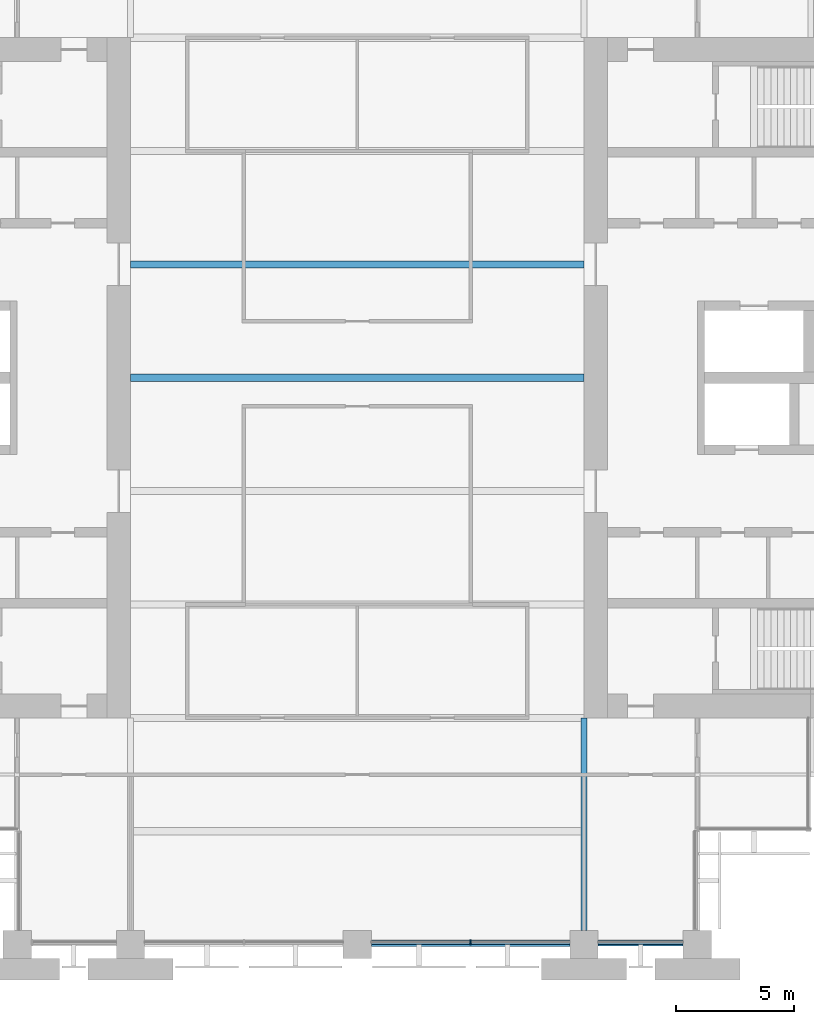
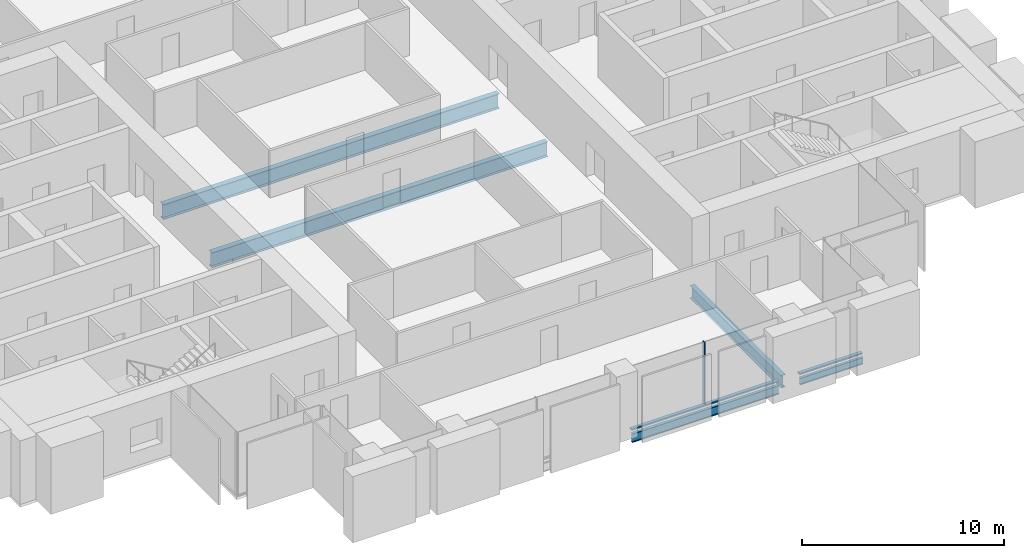
# One storey, part 3 of 14: 5 beams, 3 members, 1 element without a shape of its own.
"""IFC4 building model written with IfcOpenShell, lengths in metres."""

from ifc_helpers import new_model, si_unit, direction, frame, origin, origin_2d, place, context, subcontext, project, spatial, rectangle, i_section, extrude, material, material_profile, profile_set, type_object, element, aggregate, save


model = new_model("IFC4")

# Units and contexts
model_context = context("Model", 3, precision=1e-05, world=origin(), true_north=direction((0.0, 1.0)))
body_context = subcontext(model_context, "Body", "Model", "MODEL_VIEW")
ifc_project = project(units=[si_unit("LENGTHUNIT", "METRE"), si_unit("AREAUNIT", "SQUARE_METRE"), si_unit("VOLUMEUNIT", "CUBIC_METRE"), si_unit("PLANEANGLEUNIT", "RADIAN"), si_unit("MASSUNIT", "GRAM", prefix="KILO")], contexts=[model_context])

# Site, building, storey
site_placement = place(None, origin())
site = spatial("IfcSite", under=ifc_project, at=site_placement, CompositionType="ELEMENT")
building_placement = place(site_placement, origin())
building = spatial("IfcBuilding", under=site, at=building_placement, Name="Baori Bourse Tower", CompositionType="ELEMENT")
storey_placement = place(building_placement, frame((0.0, 0.0, 124.10009765625)))
storey = spatial("IfcBuildingStorey", under=building, at=storey_placement, Name="L26", CompositionType="ELEMENT", Elevation=124.10009765625)

# Curtain wall, members
ifc_material_1 = material(Name="Pale anodised aluminium", Category="aluminium")
curtain_wall_type = type_object("IfcCurtainWallType", Name="CW1 Curtain wall", PredefinedType="NOTDEFINED", material=ifc_material_1)
curtain_wall_placement = place(storey_placement, origin())
curtain_wall = element("IfcCurtainWall", 1, at=curtain_wall_placement, inside=storey, type_object=curtain_wall_type, Name="Curtain wall CW1 L26 11", PredefinedType="NOTDEFINED")
ifc_material_2 = material(Name="Pale anodised aluminium", Category="aluminium")
ifc_material_profile_1 = material_profile(ifc_material_2, rectangle(XDim=0.199951171875, YDim=0.06005859375, at=origin_2d()), Name="Mullion 60x200")
ifc_profile_set_1 = profile_set([ifc_material_profile_1], Name="Pale anodised aluminium")
member_type_1 = type_object("IfcMemberType", Name="CW1 Curtain wall mullion", PredefinedType="MULLION", material=ifc_profile_set_1)
member_1_placement = place(storey_placement, frame((33.60009765625, 0.10009765625, 0.079833984375), z_axis=(0.0, 0.0, 1.0), x_axis=(0.0, 1.0, 0.0)))
member_1 = element("IfcMember", 2, at=member_1_placement, type_object=member_type_1, Name="Curtain wall CW1 mullion", PredefinedType="MULLION", context=body_context, shape_type="SweptSolid", body=[
    extrude(rectangle(XDim=0.199951171875, YDim=0.06005859375, at=origin_2d()), origin(), (0.0, 0.0, 1.0), 3.760009765625),
])
ifc_material_3 = material(Name="Pale anodised aluminium", Category="aluminium")
ifc_material_profile_2 = material_profile(ifc_material_3, rectangle(XDim=0.199951171875, YDim=0.080078125, at=origin_2d()), Name="Transom 80x200")
ifc_profile_set_2 = profile_set([ifc_material_profile_2], Name="Pale anodised aluminium")
member_type_2 = type_object("IfcMemberType", Name="CW1 Curtain wall transom", PredefinedType="USERDEFINED", material=ifc_profile_set_2)
member_2_placement = place(storey_placement, frame((29.39990234375, 0.10009765625, 0.039794921875), z_axis=(1.0, 0.0, 0.0), x_axis=(0.0, 1.0, 0.0)))
member_2 = element("IfcMember", 3, at=member_2_placement, type_object=member_type_2, Name="Curtain wall CW1 sill rail", ObjectType="TRANSOM", PredefinedType="USERDEFINED", context=body_context, shape_type="SweptSolid", body=[
    extrude(rectangle(XDim=0.199951171875, YDim=0.080078125, at=origin_2d()), origin(), (0.0, 0.0, 1.0), 8.400146484375),
])
member_3_placement = place(storey_placement, frame((39.0, 0.10009765625, 0.039794921875), z_axis=(1.0, 0.0, 0.0), x_axis=(0.0, 1.0, 0.0)))
member_3 = element("IfcMember", 4, at=member_3_placement, type_object=member_type_2, Name="Curtain wall CW1 sill rail", ObjectType="TRANSOM", PredefinedType="USERDEFINED", context=body_context, shape_type="SweptSolid", body=[
    extrude(rectangle(XDim=0.199951171875, YDim=0.080078125, at=origin_2d()), origin(), (0.0, 0.0, 1.0), 3.60009765625),
])
aggregate(curtain_wall, [member_2, member_1, member_3])

# Beams
ifc_material_4 = material(Name="Steel A992 Gr 50", Category="steel")
ifc_material_profile_3 = material_profile(ifc_material_4, i_section(OverallWidth=0.140380859375, OverallDepth=0.40380859375, WebThickness=0.007080078125, FlangeThickness=0.01123046875, at=origin_2d()), Name="W16x31")
ifc_profile_set_3 = profile_set([ifc_material_profile_3], Name="Steel A992 Gr 50")
beam_type_1 = type_object("IfcBeamType", Name="Edge beam W16x31", PredefinedType="BEAM", material=ifc_profile_set_3)
beam_1_placement = place(storey_placement, frame((39.0, 0.0, -0.362060546875), z_axis=(1.0, 0.0, 0.0), x_axis=(0.0, 1.0, 0.0)))
element("IfcBeam", 5, at=beam_1_placement, inside=storey, type_object=beam_type_1, Name="Edge beam L26", PredefinedType="BEAM", context=body_context, shape_type="SweptSolid", body=[
    extrude(i_section(OverallWidth=0.140380859375, OverallDepth=0.40380859375, WebThickness=0.007080078125, FlangeThickness=0.01123046875, at=origin_2d()), origin(), (0.0, 0.0, 1.0), 3.60009765625),
])
ifc_material_5 = material(Name="Steel A992 Gr 50", Category="steel")
ifc_material_profile_4 = material_profile(ifc_material_5, i_section(OverallWidth=0.1650390625, OverallDepth=0.52587890625, WebThickness=0.0087890625, FlangeThickness=0.011474609375, at=origin_2d()), Name="W21x44")
ifc_profile_set_4 = profile_set([ifc_material_profile_4], Name="Steel A992 Gr 50")
beam_type_2 = type_object("IfcBeamType", Name="Edge beam W21x44", PredefinedType="BEAM", material=ifc_profile_set_4)
beam_2_placement = place(storey_placement, frame((29.39990234375, 0.0, -0.423095703125), z_axis=(1.0, 0.0, 0.0), x_axis=(0.0, 1.0, 0.0)))
element("IfcBeam", 6, at=beam_2_placement, inside=storey, type_object=beam_type_2, Name="Edge beam L26", PredefinedType="BEAM", context=body_context, shape_type="SweptSolid", body=[
    extrude(i_section(OverallWidth=0.1650390625, OverallDepth=0.52587890625, WebThickness=0.0087890625, FlangeThickness=0.011474609375, at=origin_2d()), origin(), (0.0, 0.0, 1.0), 8.400146484375),
])
ifc_material_6 = material(Name="Steel A992 Gr 50", Category="steel")
ifc_material_profile_5 = material_profile(ifc_material_6, i_section(OverallWidth=0.3046875, OverallDepth=0.904296875, WebThickness=0.01513671875, FlangeThickness=0.02001953125, at=origin_2d()), Name="W36x135")
ifc_profile_set_5 = profile_set([ifc_material_profile_5], Name="Steel A992 Gr 50")
beam_type_3 = type_object("IfcBeamType", Name="Floor beam W36x135", PredefinedType="BEAM", material=ifc_profile_set_5)
for number, where, z_axis, x_axis, name in (
    (7, (19.199951171875, 24.0, -0.6123046875), (1.0, 0.0, 0.0), (0.0, 1.0, 0.0), "Floor beam L26"),
    (8, (19.199951171875, 28.800048828125, -0.6123046875), (1.0, 0.0, 0.0), (0.0, 1.0, 0.0), "Floor beam L26"),
):
    element("IfcBeam", number, at=place(storey_placement, frame(where, z_axis=z_axis, x_axis=x_axis)), inside=storey, type_object=beam_type_3, Name=name, PredefinedType="BEAM", context=body_context, shape_type="SweptSolid", body=[
        extrude(i_section(OverallWidth=0.3046875, OverallDepth=0.904296875, WebThickness=0.01513671875, FlangeThickness=0.02001953125, at=origin_2d()), origin(), (0.0, 0.0, 1.0), 19.199951171875),
    ])
ifc_material_7 = material(Name="Steel A992 Gr 50", Category="steel")
ifc_material_profile_6 = material_profile(ifc_material_7, i_section(OverallWidth=0.26416015625, OverallDepth=0.749267578125, WebThickness=0.011962890625, FlangeThickness=0.015380859375, at=origin_2d()), Name="W30x90")
ifc_profile_set_6 = profile_set([ifc_material_profile_6], Name="Steel A992 Gr 50")
beam_type_4 = type_object("IfcBeamType", Name="Girder W30x90", PredefinedType="BEAM", material=ifc_profile_set_6)
beam_3_placement = place(storey_placement, frame((38.39990234375, 0.60009765625, -0.53466796875), z_axis=(0.0, 1.0, 0.0), x_axis=(-1.0, 0.0, 0.0)))
element("IfcBeam", 9, at=beam_3_placement, inside=storey, type_object=beam_type_4, Name="Girder L26", PredefinedType="BEAM", context=body_context, shape_type="SweptSolid", body=[
    extrude(i_section(OverallWidth=0.26416015625, OverallDepth=0.749267578125, WebThickness=0.011962890625, FlangeThickness=0.015380859375, at=origin_2d()), origin(), (0.0, 0.0, 1.0), 9.0),
])

save(model, "model.ifc")
